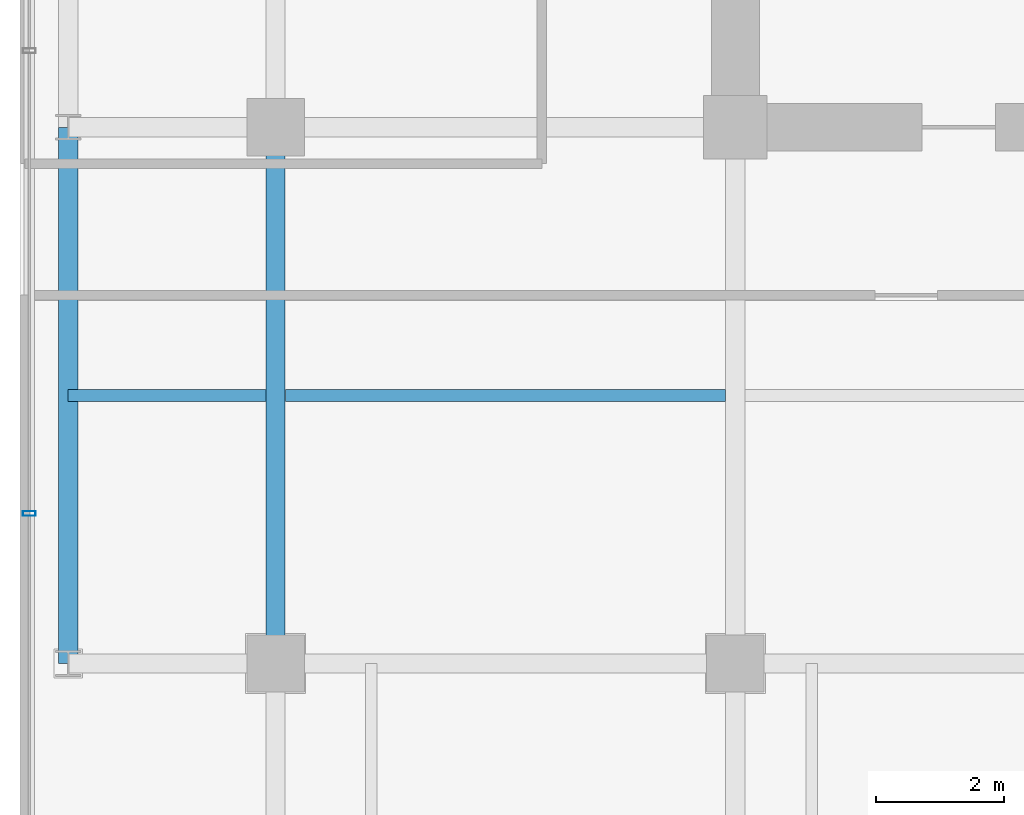
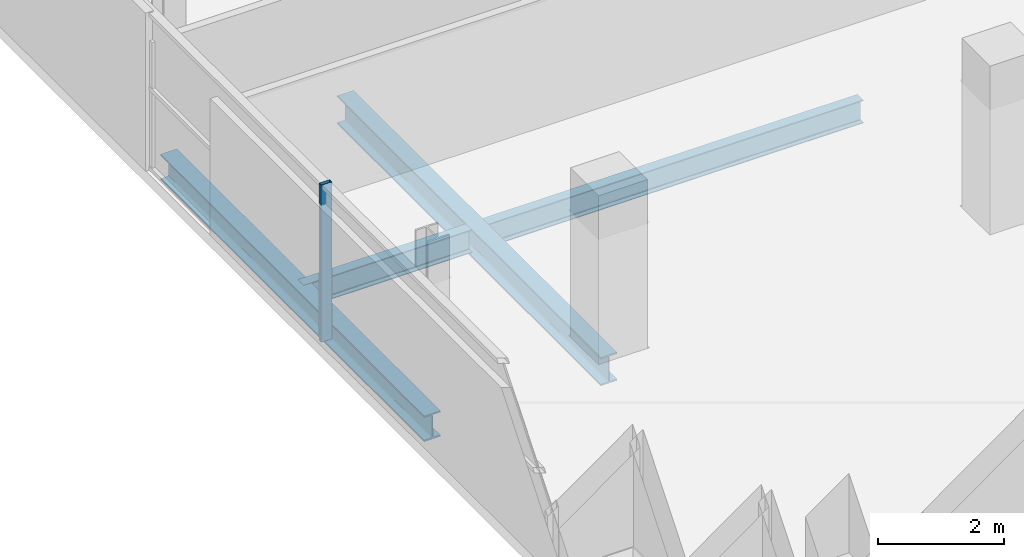
# One storey, part 4 of 24: 4 beams, 1 member, 1 element without a shape of its own.
"""IFC4 building model written with IfcOpenShell, lengths in metres."""

from ifc_helpers import new_model, si_unit, direction, frame, origin, origin_2d, place, context, subcontext, project, spatial, hollow_rectangle, i_section, extrude, source, transform, mapped, material, layer, layer_set, material_profile, profile_set, type_object, element, aggregate, save


model = new_model("IFC4")

# Units and contexts
model_context = context("Model", 3, precision=1e-05, world=origin(), true_north=direction((0.0, 1.0)))
body_context = subcontext(model_context, "Body", "Model", "MODEL_VIEW")
ifc_project = project(units=[si_unit("LENGTHUNIT", "METRE"), si_unit("AREAUNIT", "SQUARE_METRE"), si_unit("VOLUMEUNIT", "CUBIC_METRE"), si_unit("PLANEANGLEUNIT", "RADIAN"), si_unit("MASSUNIT", "GRAM", prefix="KILO")], contexts=[model_context])

# Site, building, storey
site_placement = place(None, origin())
site = spatial("IfcSite", under=ifc_project, at=site_placement, CompositionType="ELEMENT")
building_placement = place(site_placement, origin())
building = spatial("IfcBuilding", under=site, at=building_placement, Name="Zarnakvel Exchange Tower", CompositionType="ELEMENT")
storey_placement = place(building_placement, frame((0.0, 0.0, 133.0)))
storey = spatial("IfcBuildingStorey", under=building, at=storey_placement, Name="L37", CompositionType="ELEMENT", Elevation=133.0)

# Beams
ifc_material_1 = material(Name="Steel S355", Category="steel")
ifc_material_profile_1 = material_profile(ifc_material_1, i_section(OverallWidth=0.18994140625, OverallDepth=0.449951171875, WebThickness=0.009521484375, FlangeThickness=0.0146484375, FilletRadius=0.02099609375, at=origin_2d()))
ifc_profile_set_1 = profile_set([ifc_material_profile_1], Name="Steel S355")
beam_type_1 = type_object("IfcBeamType", Name="B-05", PredefinedType="JOIST", material=ifc_profile_set_1)
beam_1_placement = place(storey_placement, frame((-24.85009765625, -5.39990234375, -0.449951171875), z_axis=(1.0, 0.0, 0.0), x_axis=(0.0, 1.0, 0.0)))
element("IfcBeam", 1, at=beam_1_placement, inside=storey, type_object=beam_type_1, Name="L37 Composite Floor Secondary Joist", PredefinedType="JOIST", context=body_context, shape_type="SweptSolid", body=[
    extrude(i_section(OverallWidth=0.18994140625, OverallDepth=0.449951171875, WebThickness=0.009521484375, FlangeThickness=0.0146484375, FilletRadius=0.02099609375, at=origin_2d()), origin(), (0.0, 0.0, 1.0), 3.10009765625),
])
beam_2_placement = place(storey_placement, frame((-21.449951171875, -5.39990234375, -0.449951171875), z_axis=(1.0, 0.0, 0.0), x_axis=(0.0, 1.0, 0.0)))
element("IfcBeam", 2, at=beam_2_placement, inside=storey, type_object=beam_type_1, Name="L37 Composite Floor Secondary Joist", PredefinedType="JOIST", context=body_context, shape_type="SweptSolid", body=[
    extrude(i_section(OverallWidth=0.18994140625, OverallDepth=0.449951171875, WebThickness=0.009521484375, FlangeThickness=0.0146484375, FilletRadius=0.02099609375, at=origin_2d()), origin(), (0.0, 0.0, 1.0), 6.89990234375),
])
ifc_material_profile_2 = material_profile(ifc_material_1, i_section(OverallWidth=0.300048828125, OverallDepth=0.550048828125, WebThickness=0.014892578125, FlangeThickness=0.029052734375, FilletRadius=0.027099609375, at=origin_2d()))
ifc_profile_set_2 = profile_set([ifc_material_profile_2], Name="Steel S355")
beam_type_2 = type_object("IfcBeamType", Name="G-05", PredefinedType="BEAM", material=ifc_profile_set_2)
beam_3_placement = place(storey_placement, frame((-21.60009765625, -9.60009765625, -0.5), z_axis=(0.0, 1.0, 0.0), x_axis=(-1.0, 0.0, 0.0)))
element("IfcBeam", 3, at=beam_3_placement, inside=storey, type_object=beam_type_2, Name="L37 Tower N-S Frame Beam", PredefinedType="BEAM", context=body_context, shape_type="SweptSolid", body=[
    extrude(i_section(OverallWidth=0.300048828125, OverallDepth=0.550048828125, WebThickness=0.014892578125, FlangeThickness=0.029052734375, FilletRadius=0.027099609375, at=origin_2d()), origin(), (0.0, 0.0, 1.0), 8.400146484375),
])
ifc_material_profile_3 = material_profile(ifc_material_1, i_section(OverallWidth=0.300048828125, OverallDepth=0.5, WebThickness=0.014404296875, FlangeThickness=0.028076171875, FilletRadius=0.027099609375, at=origin_2d()))
ifc_profile_set_3 = profile_set([ifc_material_profile_3], Name="Steel S355")
beam_type_3 = type_object("IfcBeamType", Name="SP-02", PredefinedType="SPANDREL", material=ifc_profile_set_3)
beam_4_placement = place(storey_placement, frame((-24.85009765625, -9.60009765625, -0.47509765625), z_axis=(0.0, 1.0, 0.0), x_axis=(-1.0, 0.0, 0.0)))
element("IfcBeam", 4, at=beam_4_placement, inside=storey, type_object=beam_type_3, Name="L37 Tower N-S Frame Beam", PredefinedType="SPANDREL", context=body_context, shape_type="SweptSolid", body=[
    extrude(i_section(OverallWidth=0.300048828125, OverallDepth=0.5, WebThickness=0.014404296875, FlangeThickness=0.028076171875, FilletRadius=0.027099609375, at=origin_2d()), origin(), (0.0, 0.0, 1.0), 8.400146484375),
])

# Curtain wall, member
ifc_material_2 = material(Name="Architectural Bronze Anodised Aluminium", Category="aluminium")
ifc_layer = layer(ifc_material_2, 0.199951171875)
ifc_layer_set = layer_set([ifc_layer], Name="Architectural Bronze Anodised Aluminium")
curtain_wall_type = type_object("IfcCurtainWallType", Name="CW-04", PredefinedType="NOTDEFINED", material=ifc_layer_set)
curtain_wall_placement = place(storey_placement, origin())
curtain_wall = element("IfcCurtainWall", 5, at=curtain_wall_placement, inside=storey, type_object=curtain_wall_type, Name="L37 Curtain Wall CW-L37-W1 (CW-04)", PredefinedType="NOTDEFINED")
ifc_material_profile_4 = material_profile(ifc_material_2, hollow_rectangle(XDim=0.199951171875, YDim=0.074951171875, WallThickness=0.0048828125, at=origin_2d()))
ifc_profile_set_4 = profile_set([ifc_material_profile_4], Name="Architectural Bronze Anodised Aluminium")
member_type = type_object("IfcMemberType", Name="CWM-04", PredefinedType="MULLION", material=ifc_profile_set_4)
shared_shape = source(origin(), body_context, "Body", "SweptSolid", [
    extrude(hollow_rectangle(XDim=0.199951171875, YDim=0.074951171875, WallThickness=0.0048828125, at=origin_2d()), origin(), (0.0, 0.0, 1.0), 3.054931640625),
])
member_placement = place(storey_placement, frame((-25.4599609375, -7.25, 0.0), z_axis=(0.0, 0.0, 1.0), x_axis=(-1.0, 0.0, 0.0)))
member = element("IfcMember", 6, at=member_placement, type_object=member_type, Name="CW-04 mullion 2", PredefinedType="MULLION", context=body_context, shape_type="MappedRepresentation", body=[
    mapped(shared_shape, transform((0.0, 0.0, 0.0), x_axis=(1.0, 0.0, 0.0), y_axis=(0.0, 1.0, 0.0), z_axis=(0.0, 0.0, 1.0), scale=1.0)),
])
aggregate(curtain_wall, [member])

save(model, "model.ifc")
